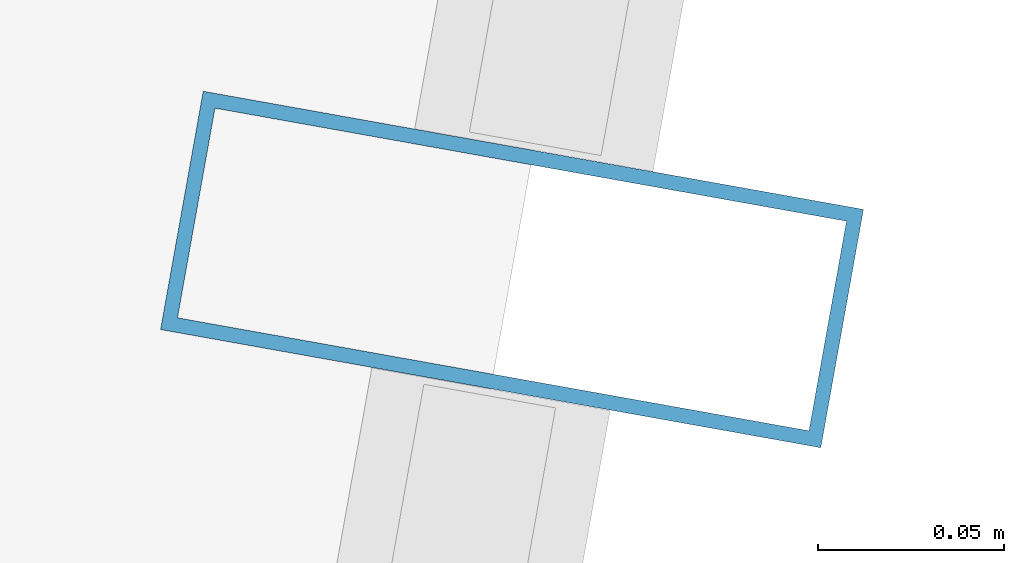
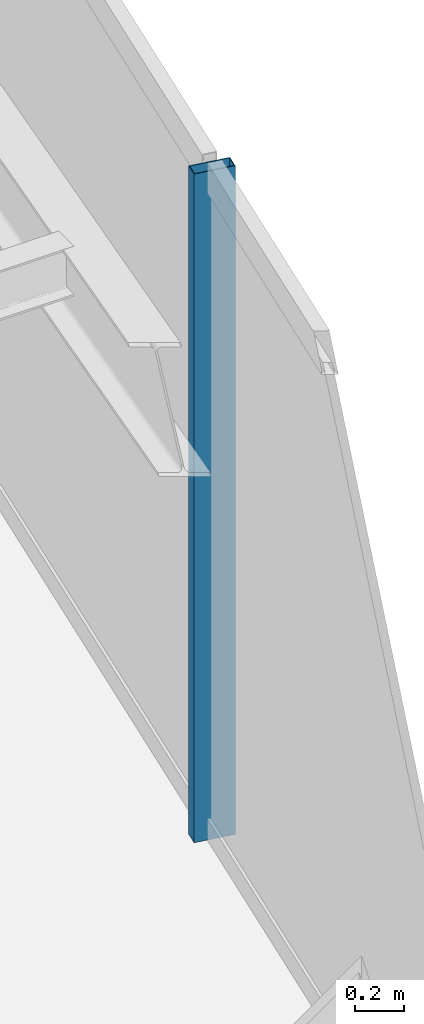
# One storey, part 15 of 30: 1 member, 1 element without a shape of its own.
"""IFC4 building model written with IfcOpenShell, lengths in metres."""

from ifc_helpers import new_model, si_unit, direction, frame, origin, origin_2d, place, context, subcontext, project, spatial, hollow_rectangle, extrude, material, material_profile, profile_set, type_object, element, aggregate, save


model = new_model("IFC4")

# Units and contexts
model_context = context("Model", 3, precision=1e-05, world=origin(), true_north=direction((0.0, 1.0)))
body_context = subcontext(model_context, "Body", "Model", "MODEL_VIEW")
ifc_project = project(units=[si_unit("LENGTHUNIT", "METRE"), si_unit("AREAUNIT", "SQUARE_METRE"), si_unit("VOLUMEUNIT", "CUBIC_METRE"), si_unit("PLANEANGLEUNIT", "RADIAN"), si_unit("MASSUNIT", "GRAM", prefix="KILO")], contexts=[model_context])

# Site, building, storey
site_placement = place(None, origin())
site = spatial("IfcSite", under=ifc_project, at=site_placement, CompositionType="ELEMENT")
building_placement = place(site_placement, origin())
building = spatial("IfcBuilding", under=site, at=building_placement, Name="Saevonmaru Cultural Tower", CompositionType="ELEMENT")
storey_placement = place(building_placement, frame((0.0, 0.0, 272.39990234375)))
storey = spatial("IfcBuildingStorey", under=building, at=storey_placement, Name="L64", CompositionType="ELEMENT", Elevation=272.39990234375)

# Curtain wall, member
ifc_material = material(Name="Satin Bronze Anodised Aluminium", Category="aluminium")
curtain_wall_type = type_object("IfcCurtainWallType", Name="CW-TYP-B", PredefinedType="NOTDEFINED", material=ifc_material)
curtain_wall_placement = place(storey_placement, origin())
curtain_wall = element("IfcCurtainWall", 1, at=curtain_wall_placement, inside=storey, type_object=curtain_wall_type, Name="L64 Unitised Curtain Wall E8", PredefinedType="NOTDEFINED")
ifc_material_profile = material_profile(ifc_material, hollow_rectangle(XDim=0.06494140625, YDim=0.179931640625, WallThickness=0.00390625, at=origin_2d()), Name="ALU-MULL-180x65x4")
ifc_profile_set = profile_set([ifc_material_profile], Name="Satin Bronze Anodised Aluminium")
member_type = type_object("IfcMemberType", Name="ML-CW-180x65", PredefinedType="MULLION", material=ifc_profile_set)
member_placement = place(storey_placement, frame((52.806396484375, 34.953125, 0.0), z_axis=(0.0, 0.0, 1.0), x_axis=(0.176140740755, 0.984364993001, 0.0)))
member = element("IfcMember", 2, at=member_placement, type_object=member_type, Name="CW-TW-L64-E8 mullion 2", PredefinedType="MULLION", context=body_context, shape_type="SweptSolid", body=[
    extrude(hollow_rectangle(XDim=0.06494140625, YDim=0.179931640625, WallThickness=0.00390625, at=origin_2d()), origin(), (0.0, 0.0, 1.0), 3.35009765625),
])
aggregate(curtain_wall, [member])

save(model, "model.ifc")
